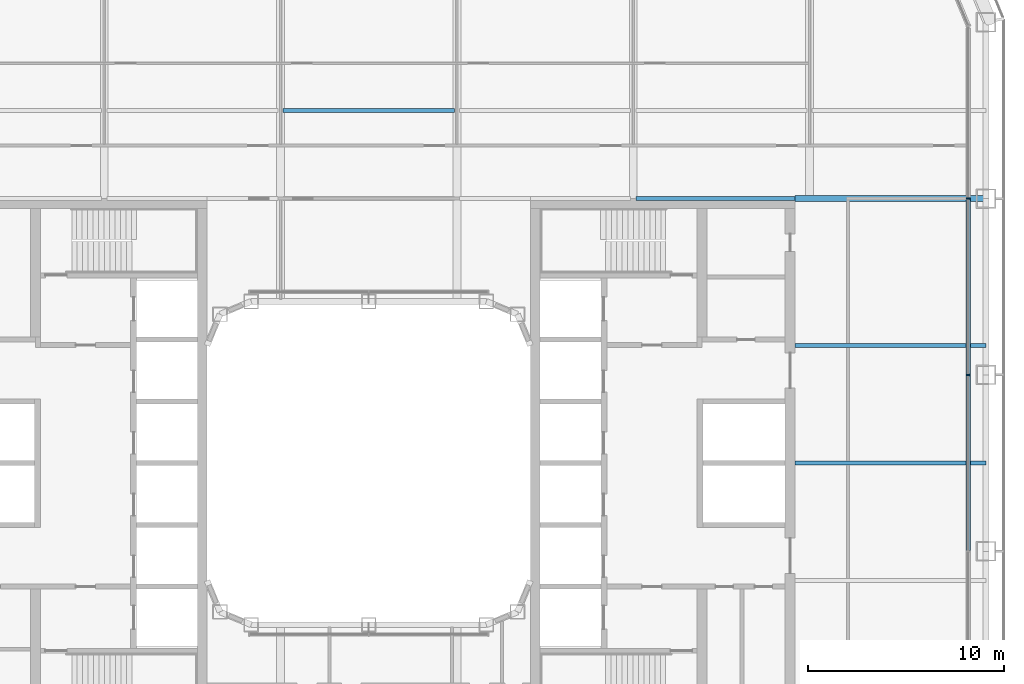
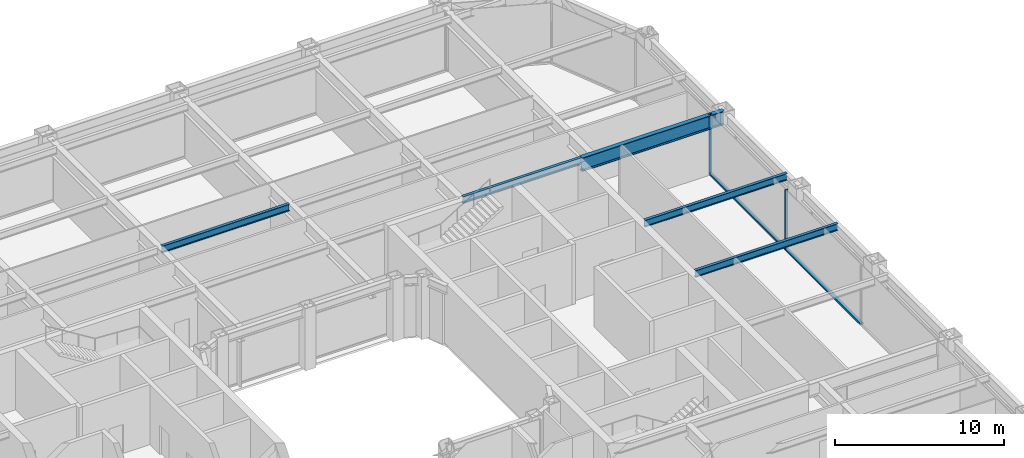
# One storey, part 9 of 29: 5 beams, 4 members, 1 element without a shape of its own.
"""IFC4 building model written with IfcOpenShell, lengths in metres."""

from ifc_helpers import new_model, si_unit, direction, frame, origin, origin_2d, place, context, subcontext, project, spatial, rectangle, i_section, extrude, material, layer, layer_set, material_profile, profile_set, type_object, element, aggregate, save


model = new_model("IFC4")

# Units and contexts
model_context = context("Model", 3, precision=1e-05, world=origin(), true_north=direction((0.0, 1.0)))
body_context = subcontext(model_context, "Body", "Model", "MODEL_VIEW")
ifc_project = project(units=[si_unit("LENGTHUNIT", "METRE"), si_unit("AREAUNIT", "SQUARE_METRE"), si_unit("VOLUMEUNIT", "CUBIC_METRE"), si_unit("PLANEANGLEUNIT", "RADIAN"), si_unit("MASSUNIT", "GRAM", prefix="KILO")], contexts=[model_context])

# Site, building, storey
site_placement = place(None, origin())
site = spatial("IfcSite", under=ifc_project, at=site_placement, CompositionType="ELEMENT")
building_placement = place(site_placement, origin())
building = spatial("IfcBuilding", under=site, at=building_placement, Name="Siwar Civic Tower", CompositionType="ELEMENT")
storey_placement = place(building_placement, frame((0.0, 0.0, 67.199951171875)))
storey = spatial("IfcBuildingStorey", under=building, at=storey_placement, Name="L14", CompositionType="ELEMENT", Elevation=67.199951171875)

# Curtain wall, members
ifc_material_1 = material(Name="Aluminium and glass", Category="aluminium")
ifc_layer = layer(ifc_material_1, 0.219970703125)
ifc_layer_set = layer_set([ifc_layer], Name="Aluminium and glass")
curtain_wall_type = type_object("IfcCurtainWallType", Name="ENV-CW-A", PredefinedType="NOTDEFINED", material=ifc_layer_set)
curtain_wall_placement = place(storey_placement, origin())
curtain_wall = element("IfcCurtainWall", 1, at=curtain_wall_placement, inside=storey, type_object=curtain_wall_type, Name="Curtain wall A E", PredefinedType="NOTDEFINED")
ifc_material_2 = material(Name="Aluminium 6063-T6", Category="aluminium")
ifc_material_profile_1 = material_profile(ifc_material_2, rectangle(XDim=0.219970703125, YDim=0.070068359375, at=origin_2d()), Name="AL 220x70")
ifc_profile_set_1 = profile_set([ifc_material_profile_1], Name="Aluminium 6063-T6")
member_type_1 = type_object("IfcMemberType", Name="ENV-MULLION-A", PredefinedType="MULLION", material=ifc_profile_set_1)
member_1_placement = place(storey_placement, frame((30.60009765625, 4.5, 0.0), z_axis=(0.0, 0.0, 1.0), x_axis=(-1.0, 0.0, 0.0)))
member_1 = element("IfcMember", 2, at=member_1_placement, type_object=member_type_1, Name="Mullion A E 4", PredefinedType="MULLION", context=body_context, shape_type="SweptSolid", body=[
    extrude(rectangle(XDim=0.219970703125, YDim=0.070068359375, at=origin_2d()), origin(), (0.0, 0.0, 1.0), 4.35009765625),
])
member_2_placement = place(storey_placement, frame((30.60009765625, 13.5, 0.0), z_axis=(0.0, 0.0, 1.0), x_axis=(-1.0, 0.0, 0.0)))
member_2 = element("IfcMember", 3, at=member_2_placement, type_object=member_type_1, Name="Mullion A E 5", PredefinedType="MULLION", context=body_context, shape_type="SweptSolid", body=[
    extrude(rectangle(XDim=0.219970703125, YDim=0.070068359375, at=origin_2d()), origin(), (0.0, 0.0, 1.0), 4.35009765625),
])
ifc_material_3 = material(Name="Aluminium 6063-T6", Category="aluminium")
ifc_material_profile_2 = material_profile(ifc_material_3, rectangle(XDim=0.219970703125, YDim=0.1201171875, at=origin_2d()), Name="AL 220x120")
ifc_profile_set_2 = profile_set([ifc_material_profile_2], Name="Aluminium 6063-T6")
member_type_2 = type_object("IfcMemberType", Name="ENV-TRANSOM-A", PredefinedType="USERDEFINED", material=ifc_profile_set_2)
member_3_placement = place(storey_placement, frame((30.60009765625, -4.465087890625, 0.06005859375), z_axis=(0.0, 1.0, 0.0), x_axis=(-1.0, 0.0, 0.0)))
member_3 = element("IfcMember", 4, at=member_3_placement, type_object=member_type_2, Name="Transom A E 3", ObjectType="TRANSOM", PredefinedType="USERDEFINED", context=body_context, shape_type="SweptSolid", body=[
    extrude(rectangle(XDim=0.219970703125, YDim=0.1201171875, at=origin_2d()), origin(), (0.0, 0.0, 1.0), 8.93017578125),
])
member_4_placement = place(storey_placement, frame((30.60009765625, 4.534912109375, 0.06005859375), z_axis=(0.0, 1.0, 0.0), x_axis=(-1.0, 0.0, 0.0)))
member_4 = element("IfcMember", 5, at=member_4_placement, type_object=member_type_2, Name="Transom A E 4", ObjectType="TRANSOM", PredefinedType="USERDEFINED", context=body_context, shape_type="SweptSolid", body=[
    extrude(rectangle(XDim=0.219970703125, YDim=0.1201171875, at=origin_2d()), origin(), (0.0, 0.0, 1.0), 8.93017578125),
])
aggregate(curtain_wall, [member_1, member_2, member_3, member_4])

# Beams
ifc_material_4 = material(Name="Steel S355", Category="steel")
ifc_material_profile_3 = material_profile(ifc_material_4, i_section(OverallWidth=0.199951171875, OverallDepth=0.5, WebThickness=0.01025390625, FlangeThickness=0.01611328125, FilletRadius=0.02099609375, at=origin_2d()), Name="IPE500")
ifc_profile_set_3 = profile_set([ifc_material_profile_3], Name="Steel S355")
beam_type_1 = type_object("IfcBeamType", Name="STR-FB-IPE500", PredefinedType="JOIST", material=ifc_profile_set_3)
for number, where, z_axis, x_axis, name in (
    (6, (21.75, 0.0, 4.10009765625), (1.0, 0.0, 0.0), (0.0, 1.0, 0.0), "L14/bm/F034"),
    (7, (21.75, 6.0, 4.10009765625), (1.0, 0.0, 0.0), (0.0, 1.0, 0.0), "L14/bm/F036"),
):
    element("IfcBeam", number, at=place(storey_placement, frame(where, z_axis=z_axis, x_axis=x_axis)), inside=storey, type_object=beam_type_1, Name=name, PredefinedType="JOIST", context=body_context, shape_type="SweptSolid", body=[
        extrude(i_section(OverallWidth=0.199951171875, OverallDepth=0.5, WebThickness=0.01025390625, FlangeThickness=0.01611328125, FilletRadius=0.02099609375, at=origin_2d()), origin(), (0.0, 0.0, 1.0), 9.75),
    ])
beam_1_placement = place(storey_placement, frame((13.6298828125, 13.5, 4.10009765625), z_axis=(1.0, 0.0, 0.0), x_axis=(0.0, 1.0, 0.0)))
element("IfcBeam", 8, at=beam_1_placement, inside=storey, type_object=beam_type_1, Name="L14/bm/F044", PredefinedType="JOIST", context=body_context, shape_type="SweptSolid", body=[
    extrude(i_section(OverallWidth=0.199951171875, OverallDepth=0.5, WebThickness=0.01025390625, FlangeThickness=0.01611328125, FilletRadius=0.02099609375, at=origin_2d()), origin(), (0.0, 0.0, 1.0), 8.1201171875),
])
beam_2_placement = place(storey_placement, frame((-4.3701171875, 18.0, 4.10009765625), z_axis=(1.0, 0.0, 0.0), x_axis=(0.0, 1.0, 0.0)))
element("IfcBeam", 9, at=beam_2_placement, inside=storey, type_object=beam_type_1, Name="L14/bm/F049", PredefinedType="JOIST", context=body_context, shape_type="SweptSolid", body=[
    extrude(i_section(OverallWidth=0.199951171875, OverallDepth=0.5, WebThickness=0.01025390625, FlangeThickness=0.01611328125, FilletRadius=0.02099609375, at=origin_2d()), origin(), (0.0, 0.0, 1.0), 8.740234375),
])
ifc_material_5 = material(Name="Steel S355", Category="steel")
ifc_material_profile_4 = material_profile(ifc_material_5, i_section(OverallWidth=0.300048828125, OverallDepth=1.0, WebThickness=0.01904296875, FlangeThickness=0.035888671875, FilletRadius=0.030029296875, at=origin_2d()), Name="HEB1000")
ifc_profile_set_4 = profile_set([ifc_material_profile_4], Name="Steel S355")
beam_type_2 = type_object("IfcBeamType", Name="STR-PG-HEB1000", PredefinedType="BEAM", material=ifc_profile_set_4)
beam_3_placement = place(storey_placement, frame((21.75, 13.5, 3.85009765625), z_axis=(1.0, 0.0, 0.0), x_axis=(0.0, 1.0, 0.0)))
element("IfcBeam", 10, at=beam_3_placement, inside=storey, type_object=beam_type_2, Name="L14/bm/F045", PredefinedType="BEAM", context=body_context, shape_type="SweptSolid", body=[
    extrude(i_section(OverallWidth=0.300048828125, OverallDepth=1.0, WebThickness=0.01904296875, FlangeThickness=0.035888671875, FilletRadius=0.030029296875, at=origin_2d()), origin(), (0.0, 0.0, 1.0), 9.75),
])

save(model, "model.ifc")
